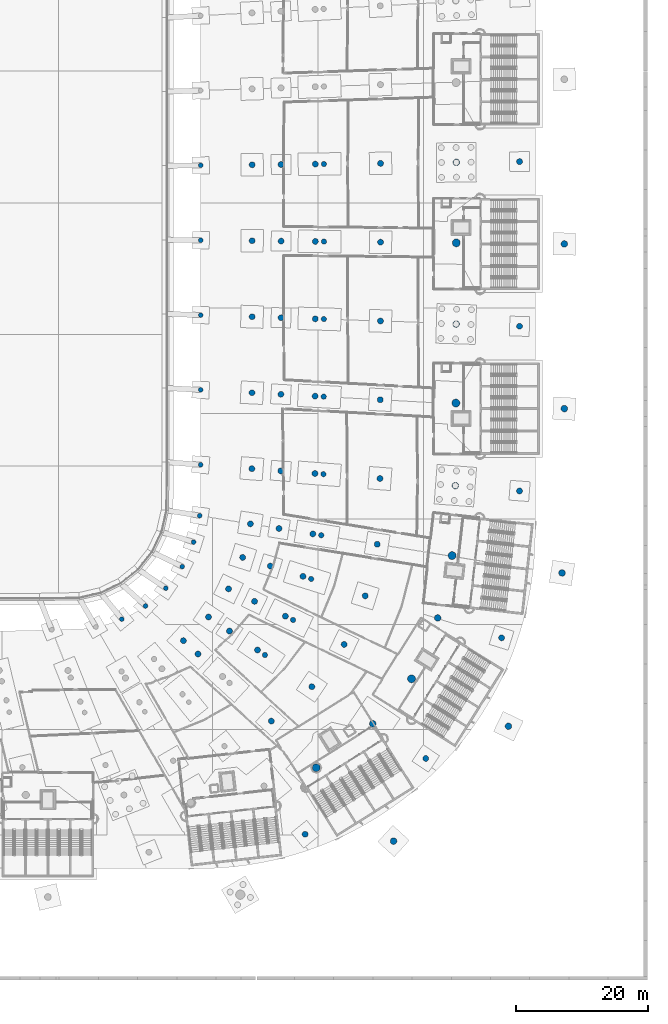
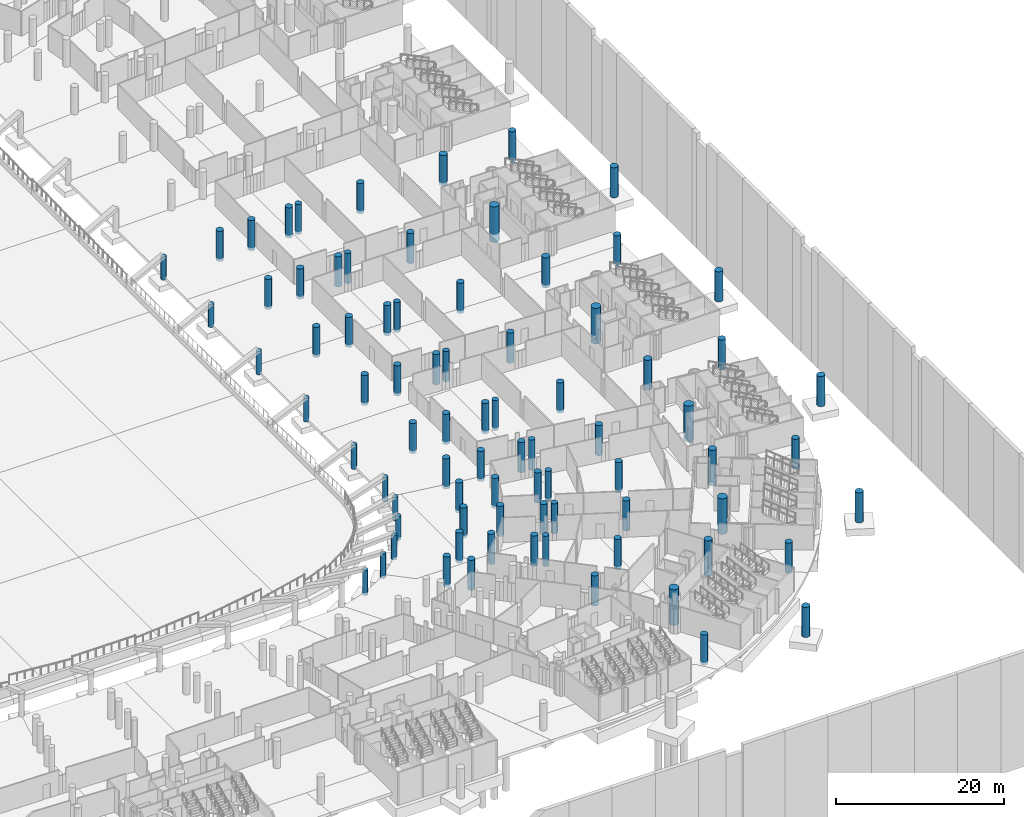
# One storey, part 10 of 142: 80 columns.
"""IFC4 building model written with IfcOpenShell, lengths in metres."""

import ifcopenshell
import ifcopenshell.guid

model = None  # the IFC model being written
_history = None  # IfcOwnerHistory: only IFC2X3 demands one
_inside = {}  # id of a spatial element -> (the spatial element, [elements in it])
_under = {}  # id of a project, library or spatial element -> (it, [spatial elements below it])
_declared = {}  # id of a project -> (the project, [libraries it declares])
_typed = {}  # id of a type object -> (the type object, [elements of that type])
_made_of = {}  # id of a material, layer set ... -> (it, [elements and type objects made of it])


def new_model(schema):
    """Start an empty IFC model of exactly this schema.

    Asked for "IFC4X3", IfcOpenShell would pick the latest addendum, in which some entities
    have other attributes; the version numbers below select the first issue.
    IFC2X3 requires an IfcOwnerHistory on every rooted entity: one is made here for all.
    """
    global model, _history
    if schema == "IFC4X3":
        model = ifcopenshell.file(schema_version=(4, 3, 0, 0))
    else:
        model = ifcopenshell.file(schema=schema)
    _inside.clear()
    _under.clear()
    _declared.clear()
    _typed.clear()
    _made_of.clear()
    _history = None
    if model.schema == "IFC2X3":
        org = make("IfcOrganization", Name="unknown")
        user = make(
            "IfcPersonAndOrganization",
            ThePerson=make("IfcPerson", FamilyName="unknown"),
            TheOrganization=org,
        )
        app = make(
            "IfcApplication",
            ApplicationDeveloper=org,
            Version="unknown",
            ApplicationFullName="unknown",
            ApplicationIdentifier="unknown",
        )
        _history = make(
            "IfcOwnerHistory",
            OwningUser=user,
            OwningApplication=app,
            ChangeAction="ADDED",
            CreationDate=0,
        )
    return model


def make(cls, **values):
    """One entity of the class cls with the attributes given. An attribute that is None is left unset."""
    return model.create_entity(
        cls, **{name: value for name, value in values.items() if value is not None}
    )


def rooted(cls, **values):
    """An entity with a GlobalId (a new one), such as an element, a storey or a relation."""
    return make(cls, GlobalId=ifcopenshell.guid.new(), OwnerHistory=_history, **values)


def si_unit(unit_type, name, prefix=None):
    """IfcSIUnit, for example si_unit("LENGTHUNIT", "METRE", prefix="MILLI")."""
    return make("IfcSIUnit", UnitType=unit_type, Prefix=prefix, Name=name)


def assignment(units):
    """IfcUnitAssignment: the units of a project."""
    return None if units is None else make("IfcUnitAssignment", Units=units)


def point(xyz):
    """IfcCartesianPoint."""
    return None if xyz is None else make("IfcCartesianPoint", Coordinates=xyz)


def direction(xyz):
    """IfcDirection."""
    return None if xyz is None else make("IfcDirection", DirectionRatios=xyz)


def frame(location, z_axis=None, x_axis=None):
    """IfcAxis2Placement3D, a coordinate frame: its origin and axes. An axis left out is left unset."""
    return make(
        "IfcAxis2Placement3D",
        Location=point(location),
        Axis=direction(z_axis),
        RefDirection=direction(x_axis),
    )


def frame_2d(location, x_axis=None):
    """IfcAxis2Placement2D, a coordinate frame in the plane: its origin and x axis."""
    return make(
        "IfcAxis2Placement2D", Location=point(location), RefDirection=direction(x_axis)
    )


def origin():
    """The frame at (0, 0, 0) with its axes left unset."""
    return frame((0.0, 0.0, 0.0))


def origin_2d():
    """The frame at (0, 0) in the plane with its x axis left unset."""
    return frame_2d((0.0, 0.0))


def place(relative_to, where):
    """IfcLocalPlacement: puts the frame where relative to a parent placement (None: the world)."""
    return make(
        "IfcLocalPlacement", PlacementRelTo=relative_to, RelativePlacement=where
    )


def context(
    kind, dimensions, precision=None, world=None, true_north=None, identifier=None
):
    """IfcGeometricRepresentationContext, for example the 3D "Model" context."""
    return make(
        "IfcGeometricRepresentationContext",
        ContextIdentifier=identifier,
        ContextType=kind,
        CoordinateSpaceDimension=dimensions,
        Precision=precision,
        WorldCoordinateSystem=world,
        TrueNorth=true_north,
    )


def subcontext(parent, identifier, kind, view, scale=None):
    """IfcGeometricRepresentationSubContext, for example "Body" below "Model"."""
    return make(
        "IfcGeometricRepresentationSubContext",
        ContextIdentifier=identifier,
        ContextType=kind,
        ParentContext=parent,
        TargetScale=scale,
        TargetView=view,
    )


def project(units=None, contexts=None):
    """IfcProject with its units and contexts."""
    return rooted(
        "IfcProject",
        Name="project",
        RepresentationContexts=contexts,
        UnitsInContext=assignment(units),
    )


def spatial(cls, under=None, at=None, **own):
    """A site, building, storey or space (cls), placed at a placement, below another one or the project."""
    s = rooted(cls, ObjectPlacement=at, **own)
    if under is not None:
        _under.setdefault(under.id(), (under, []))[1].append(s)
    return s


def profile(cls, at=None, kind="AREA", **sizes):
    """A parametric profile (cls). Its sizes go by their IFC names, for example OverallWidth=200.0."""
    return make(cls, ProfileType=kind, Position=at, **sizes)


def circle(**sizes):
    """IfcCircleProfileDef."""
    return profile("IfcCircleProfileDef", **sizes)


def extrude(swept, where, along, depth):
    """IfcExtrudedAreaSolid: the profile swept, set in the frame where, extruded along a direction by depth."""
    return make(
        "IfcExtrudedAreaSolid",
        SweptArea=swept,
        Position=where,
        ExtrudedDirection=direction(along),
        Depth=depth,
    )


def shape(context_of_items, identifier, shape_type, items):
    """IfcShapeRepresentation: the items that make up one representation, for example the "Body"."""
    return make(
        "IfcShapeRepresentation",
        ContextOfItems=context_of_items,
        RepresentationIdentifier=identifier,
        RepresentationType=shape_type,
        Items=items,
    )


def material(Name=None, Category=None):
    """IfcMaterial."""
    return make("IfcMaterial", Name=Name, Category=Category)


def material_profile(
    of_material, cross_section, Name=None, Category=None, Priority=None
):
    """IfcMaterialProfile: a cross section and its material."""
    return make(
        "IfcMaterialProfile",
        Name=Name,
        Material=of_material,
        Profile=cross_section,
        Priority=Priority,
        Category=Category,
    )


def profile_set(profiles, Name=None, composite=None):
    """IfcMaterialProfileSet."""
    return make(
        "IfcMaterialProfileSet",
        Name=Name,
        MaterialProfiles=profiles,
        CompositeProfile=composite,
    )


def made_of(thing, what):
    """Note that an element or type object is made of a material, layer set ...; save() writes the relation."""
    if what is not None:
        _made_of.setdefault(what.id(), (what, []))[1].append(thing)
    return thing


def type_object(cls, material=None, **own):
    """A type object (cls), such as IfcWallType, which elements share."""
    return made_of(rooted(cls, **own), material)


def element(
    cls,
    number,
    at=None,
    inside=None,
    cuts=None,
    type_object=None,
    material=None,
    context=None,
    identifier="Body",
    shape_type=None,
    held_by="IfcProductDefinitionShape",
    body=None,
    shapes=None,
    **own,
):
    """One element of the class cls, such as IfcWall. Its Tag is "e" and its number.

    at: its placement. inside: the storey or other place that contains it. cuts: it is an
    opening in that element (IfcRelVoidsElement). A single representation is given by context,
    identifier, shape_type and body (its items); several are given by shapes. held_by: the class
    of the entity that holds the representations. save() writes the other relations.
    """
    e = rooted(cls, Tag="e%d" % number, ObjectPlacement=at, **own)
    if body is not None:
        shapes = [shape(context, identifier, shape_type, body)]
    if shapes is not None:
        e.Representation = make(held_by, Representations=shapes)
    if inside is not None:
        _inside.setdefault(inside.id(), (inside, []))[1].append(e)
    if cuts is not None:
        rooted(
            "IfcRelVoidsElement", RelatingBuildingElement=cuts, RelatedOpeningElement=e
        )
    if type_object is not None:
        _typed.setdefault(type_object.id(), (type_object, []))[1].append(e)
    return made_of(e, material)


def aggregate(whole, parts):
    """IfcRelAggregates: a whole, such as a stair, and the parts it consists of."""
    return rooted("IfcRelAggregates", RelatingObject=whole, RelatedObjects=parts)


def save(model, path):
    """Write the relations noted so far, then the file.

    IfcRelAggregates (storeys below a building ...), IfcRelContainedInSpatialStructure (elements
    in a storey), IfcRelDefinesByType, IfcRelAssociatesMaterial and IfcRelDeclares: one each for
    every whole, place, type object, material and project.
    """
    for whole, parts in _under.values():
        aggregate(whole, parts)
    for where, things in _inside.values():
        rooted(
            "IfcRelContainedInSpatialStructure",
            RelatedElements=things,
            RelatingStructure=where,
        )
    for kind, things in _typed.values():
        rooted("IfcRelDefinesByType", RelatedObjects=things, RelatingType=kind)
    for what, things in _made_of.values():
        rooted("IfcRelAssociatesMaterial", RelatedObjects=things, RelatingMaterial=what)
    for by, libraries in _declared.values():
        rooted("IfcRelDeclares", RelatingContext=by, RelatedDefinitions=libraries)
    model.write(path)


model = new_model("IFC4")

# Units and contexts
model_context = context("Model", 3, precision=1e-05, world=origin(), true_north=direction((0.0, 1.0)))
body_context = subcontext(model_context, "Body", "Model", "MODEL_VIEW")
ifc_project = project(units=[si_unit("LENGTHUNIT", "METRE"), si_unit("AREAUNIT", "SQUARE_METRE"), si_unit("VOLUMEUNIT", "CUBIC_METRE"), si_unit("PLANEANGLEUNIT", "RADIAN"), si_unit("MASSUNIT", "GRAM", prefix="KILO")], contexts=[model_context])

# Site, building, storey
site_placement = place(None, origin())
site = spatial("IfcSite", under=ifc_project, at=site_placement, CompositionType="ELEMENT")
building_placement = place(site_placement, origin())
building = spatial("IfcBuilding", under=site, at=building_placement, Name="Meseta Stadium", CompositionType="ELEMENT")
storey_placement = place(building_placement, frame((0.0, 0.0, -4.0)))
storey = spatial("IfcBuildingStorey", under=building, at=storey_placement, Name="B1", CompositionType="ELEMENT", Elevation=-4.0)

# Columns
ifc_material_1 = material(Name="Concrete C40/50", Category="concrete")
ifc_material_profile_1 = material_profile(ifc_material_1, circle(Radius=0.5, at=origin_2d()), Name="RC D1000")
ifc_profile_set_1 = profile_set([ifc_material_profile_1], Name="Concrete C40/50")
column_type_1 = type_object("IfcColumnType", Name="RC column D1000", PredefinedType="COLUMN", material=ifc_profile_set_1)
for number, where, z_axis, x_axis, name in (
    (1, (101.0517578125, -56.202880859375, -0.39990234375), (0.0, 0.0, 1.0), (1.0, 0.0, 0.0), "Column C10 B1 frame 0 line R"),
    (2, (84.85400390625, -42.948486328125, -0.39990234375), (0.0, 0.0, 1.0), (1.0, 0.0, 0.0), "Column C10 B1 frame 1 line P"),
    (3, (101.39990234375, -31.25, -0.39990234375), (0.0, 0.0, 1.0), (1.0, 0.0, 0.0), "Column C10 B1 frame 2 line R"),
    (4, (84.97314453125, -18.41064453125, -0.39990234375), (0.0, 0.0, 1.0), (1.0, 0.0, 0.0), "Column C10 B1 frame 3 line P"),
    (5, (101.39990234375, -6.25, -0.39990234375), (0.0, 0.0, 1.0), (1.0, 0.0, 0.0), "Column C10 B1 frame 4 line R"),
    (6, (84.9970703125, 6.13720703125, -0.39990234375), (0.0, 0.0, 1.0), (1.0, 0.0, 0.0), "Column C10 B1 frame 5 line P"),
    (7, (75.474609375, -96.908447265625, -0.39990234375), (0.0, 0.0, 1.0), (1.0, 0.0, 0.0), "Column C10 B1 frame 52 line R"),
):
    element("IfcColumn", number, at=place(storey_placement, frame(where, z_axis=z_axis, x_axis=x_axis)), inside=storey, type_object=column_type_1, Name=name, PredefinedType="COLUMN", context=body_context, shape_type="SweptSolid", body=[
        extrude(circle(Radius=0.5, at=origin_2d()), origin(), (0.0, 0.0, 1.0), 4.39990234375),
    ])
column_1_placement = place(storey_placement, frame((72.31201171875, -79.091064453125, -1.199951171875), z_axis=(0.0, 0.0, 1.0), x_axis=(1.0, 0.0, 0.0)))
element("IfcColumn", 8, at=column_1_placement, inside=storey, type_object=column_type_1, Name="Column C10 B1 frame 53 line P", PredefinedType="COLUMN", context=body_context, shape_type="SweptSolid", body=[
    extrude(circle(Radius=0.5, at=origin_2d()), origin(), (0.0, 0.0, 1.0), 5.199951171875),
])
column_2_placement = place(storey_placement, frame((92.908447265625, -79.474609375, -0.39990234375), z_axis=(0.0, 0.0, 1.0), x_axis=(1.0, 0.0, 0.0)))
element("IfcColumn", 9, at=column_2_placement, inside=storey, type_object=column_type_1, Name="Column C10 B1 frame 54 line R", PredefinedType="COLUMN", context=body_context, shape_type="SweptSolid", body=[
    extrude(circle(Radius=0.5, at=origin_2d()), origin(), (0.0, 0.0, 1.0), 4.39990234375),
])
column_3_placement = place(storey_placement, frame((82.169189453125, -63.03369140625, -1.199951171875), z_axis=(0.0, 0.0, 1.0), x_axis=(1.0, 0.0, 0.0)))
element("IfcColumn", 10, at=column_3_placement, inside=storey, type_object=column_type_1, Name="Column C10 B1 frame 55 line P", PredefinedType="COLUMN", context=body_context, shape_type="SweptSolid", body=[
    extrude(circle(Radius=0.5, at=origin_2d()), origin(), (0.0, 0.0, 1.0), 5.199951171875),
])
ifc_material_2 = material(Name="Concrete C40/50", Category="concrete")
ifc_material_profile_2 = material_profile(ifc_material_2, circle(Radius=0.60009765625, at=origin_2d()), Name="RC D1200")
ifc_profile_set_2 = profile_set([ifc_material_profile_2], Name="Concrete C40/50")
column_type_2 = type_object("IfcColumnType", Name="RC column D1200", PredefinedType="COLUMN", material=ifc_profile_set_2)
for number, where, z_axis, x_axis, name in (
    (11, (84.36328125, -53.5654296875, -1.199951171875), (0.0, 0.0, 1.0), (1.0, 0.0, 0.0), "Column C12 B1 frame 0 line P"),
    (12, (84.940673828125, -30.404052734375, -1.199951171875), (0.0, 0.0, 1.0), (1.0, 0.0, 0.0), "Column C12 B1 frame 2 line P"),
    (13, (84.99755859375, -6.081298828125, -1.199951171875), (0.0, 0.0, 1.0), (1.0, 0.0, 0.0), "Column C12 B1 frame 4 line P"),
    (14, (63.731201171875, -85.77099609375, -1.199951171875), (0.0, 0.0, 1.0), (1.0, 0.0, 0.0), "Column C12 B1 frame 52 line P"),
    (15, (78.197998046875, -72.27197265625, -1.199951171875), (0.0, 0.0, 1.0), (1.0, 0.0, 0.0), "Column C12 B1 frame 54 line P"),
):
    element("IfcColumn", number, at=place(storey_placement, frame(where, z_axis=z_axis, x_axis=x_axis)), inside=storey, type_object=column_type_2, Name=name, PredefinedType="COLUMN", context=body_context, shape_type="SweptSolid", body=[
        extrude(circle(Radius=0.60009765625, at=origin_2d()), origin(), (0.0, 0.0, 1.0), 5.199951171875),
    ])
ifc_material_3 = material(Name="Concrete C40/50", Category="concrete")
ifc_material_profile_3 = material_profile(ifc_material_3, circle(Radius=0.35009765625, at=origin_2d()), Name="RC D700")
ifc_profile_set_3 = profile_set([ifc_material_profile_3], Name="Concrete C40/50")
column_type_3 = type_object("IfcColumnType", Name="RC column D700", PredefinedType="COLUMN", material=ifc_profile_set_3)
column_4_placement = place(storey_placement, frame((46.03955078125, -47.50634765625, -0.39990234375), z_axis=(0.0, 0.0, 1.0), x_axis=(1.0, 0.0, 0.0)))
element("IfcColumn", 16, at=column_4_placement, inside=storey, type_object=column_type_3, Name="Column C7 B1 frame 0 line A", PredefinedType="COLUMN", context=body_context, shape_type="SweptSolid", body=[
    extrude(circle(Radius=0.35009765625, at=origin_2d()), origin(), (0.0, 0.0, 1.0), 3.52587890625),
])
column_5_placement = place(storey_placement, frame((46.184814453125, -39.77294921875, -0.39990234375), z_axis=(0.0, 0.0, 1.0), x_axis=(1.0, 0.0, 0.0)))
element("IfcColumn", 17, at=column_5_placement, inside=storey, type_object=column_type_3, Name="Column C7 B1 frame 1 line A", PredefinedType="COLUMN", context=body_context, shape_type="SweptSolid", body=[
    extrude(circle(Radius=0.35009765625, at=origin_2d()), origin(), (0.0, 0.0, 1.0), 3.5205078125),
])
column_6_placement = place(storey_placement, frame((46.192138671875, -28.40966796875, -0.39990234375), z_axis=(0.0, 0.0, 1.0), x_axis=(1.0, 0.0, 0.0)))
element("IfcColumn", 18, at=column_6_placement, inside=storey, type_object=column_type_3, Name="Column C7 B1 frame 2 line A", PredefinedType="COLUMN", context=body_context, shape_type="SweptSolid", body=[
    extrude(circle(Radius=0.35009765625, at=origin_2d()), origin(), (0.0, 0.0, 1.0), 3.4580078125),
])
column_7_placement = place(storey_placement, frame((46.197265625, -17.0458984375, -0.39990234375), z_axis=(0.0, 0.0, 1.0), x_axis=(1.0, 0.0, 0.0)))
element("IfcColumn", 19, at=column_7_placement, inside=storey, type_object=column_type_3, Name="Column C7 B1 frame 3 line A", PredefinedType="COLUMN", context=body_context, shape_type="SweptSolid", body=[
    extrude(circle(Radius=0.35009765625, at=origin_2d()), origin(), (0.0, 0.0, 1.0), 3.39501953125),
])
for number, where, z_axis, x_axis, name in (
    (20, (46.19970703125, -5.68212890625, -0.39990234375), (0.0, 0.0, 1.0), (1.0, 0.0, 0.0), "Column C7 B1 frame 4 line A"),
    (21, (46.19970703125, 5.68212890625, -0.39990234375), (0.0, 0.0, 1.0), (1.0, 0.0, 0.0), "Column C7 B1 frame 5 line A"),
):
    element("IfcColumn", number, at=place(storey_placement, frame(where, z_axis=z_axis, x_axis=x_axis)), inside=storey, type_object=column_type_3, Name=name, PredefinedType="COLUMN", context=body_context, shape_type="SweptSolid", body=[
        extrude(circle(Radius=0.35009765625, at=origin_2d()), origin(), (0.0, 0.0, 1.0), 3.332275390625),
    ])
column_8_placement = place(storey_placement, frame((34.219970703125, -63.204833984375, -0.39990234375), z_axis=(0.0, 0.0, 1.0), x_axis=(1.0, 0.0, 0.0)))
element("IfcColumn", 22, at=column_8_placement, inside=storey, type_object=column_type_3, Name="Column C7 B1 frame 51 line A", PredefinedType="COLUMN", context=body_context, shape_type="SweptSolid", body=[
    extrude(circle(Radius=0.35009765625, at=origin_2d()), origin(), (0.0, 0.0, 1.0), 3.641845703125),
])
column_9_placement = place(storey_placement, frame((37.816162109375, -61.212158203125, -0.39990234375), z_axis=(0.0, 0.0, 1.0), x_axis=(1.0, 0.0, 0.0)))
element("IfcColumn", 23, at=column_9_placement, inside=storey, type_object=column_type_3, Name="Column C7 B1 frame 52 line A", PredefinedType="COLUMN", context=body_context, shape_type="SweptSolid", body=[
    extrude(circle(Radius=0.35009765625, at=origin_2d()), origin(), (0.0, 0.0, 1.0), 3.583740234375),
])
column_10_placement = place(storey_placement, frame((40.91650390625, -58.51611328125, -0.39990234375), z_axis=(0.0, 0.0, 1.0), x_axis=(1.0, 0.0, 0.0)))
element("IfcColumn", 24, at=column_10_placement, inside=storey, type_object=column_type_3, Name="Column C7 B1 frame 53 line A", PredefinedType="COLUMN", context=body_context, shape_type="SweptSolid", body=[
    extrude(circle(Radius=0.35009765625, at=origin_2d()), origin(), (0.0, 0.0, 1.0), 3.521240234375),
])
column_11_placement = place(storey_placement, frame((43.38720703125, -55.234130859375, -0.39990234375), z_axis=(0.0, 0.0, 1.0), x_axis=(1.0, 0.0, 0.0)))
element("IfcColumn", 25, at=column_11_placement, inside=storey, type_object=column_type_3, Name="Column C7 B1 frame 54 line A", PredefinedType="COLUMN", context=body_context, shape_type="SweptSolid", body=[
    extrude(circle(Radius=0.35009765625, at=origin_2d()), origin(), (0.0, 0.0, 1.0), 3.45556640625),
])
column_12_placement = place(storey_placement, frame((45.1201171875, -51.509765625, -0.39990234375), z_axis=(0.0, 0.0, 1.0), x_axis=(1.0, 0.0, 0.0)))
element("IfcColumn", 26, at=column_12_placement, inside=storey, type_object=column_type_3, Name="Column C7 B1 frame 55 line A", PredefinedType="COLUMN", context=body_context, shape_type="SweptSolid", body=[
    extrude(circle(Radius=0.35009765625, at=origin_2d()), origin(), (0.0, 0.0, 1.0), 3.3876953125),
])
ifc_material_4 = material(Name="Concrete C40/50", Category="concrete")
ifc_material_profile_4 = material_profile(ifc_material_4, circle(Radius=0.39990234375, at=origin_2d()), Name="RC D800")
ifc_profile_set_4 = profile_set([ifc_material_profile_4], Name="Concrete C40/50")
column_type_4 = type_object("IfcColumnType", Name="RC column D800", PredefinedType="COLUMN", material=ifc_profile_set_4)
for number, where, z_axis, x_axis, name in (
    (27, (64.501708984375, -50.479736328125, -0.39990234375), (0.0, 0.0, 1.0), (1.0, 0.0, 0.0), "Column C8 B1 frame 0 line D"),
    (28, (64.829833984375, -41.2041015625, -0.39990234375), (0.0, 0.0, 1.0), (1.0, 0.0, 0.0), "Column C8 B1 frame 1 line D"),
    (29, (64.8642578125, -29.433349609375, -0.39990234375), (0.0, 0.0, 1.0), (1.0, 0.0, 0.0), "Column C8 B1 frame 2 line D"),
    (30, (64.886962890625, -17.66064453125, -0.39990234375), (0.0, 0.0, 1.0), (1.0, 0.0, 0.0), "Column C8 B1 frame 3 line D"),
    (31, (64.898681640625, -5.886962890625, -0.39990234375), (0.0, 0.0, 1.0), (1.0, 0.0, 0.0), "Column C8 B1 frame 4 line D"),
    (32, (64.898681640625, 5.886962890625, -0.39990234375), (0.0, 0.0, 1.0), (1.0, 0.0, 0.0), "Column C8 B1 frame 5 line D"),
    (33, (55.940185546875, -68.657958984375, -0.39990234375), (0.0, 0.0, 1.0), (1.0, 0.0, 0.0), "Column C8 B1 frame 53 line D"),
    (34, (60.22216796875, -63.33056640625, -0.39990234375), (0.0, 0.0, 1.0), (1.0, 0.0, 0.0), "Column C8 B1 frame 54 line D"),
    (35, (62.963623046875, -57.1044921875, -0.39990234375), (0.0, 0.0, 1.0), (1.0, 0.0, 0.0), "Column C8 B1 frame 55 line D"),
):
    element("IfcColumn", number, at=place(storey_placement, frame(where, z_axis=z_axis, x_axis=x_axis)), inside=storey, type_object=column_type_4, Name=name, PredefinedType="COLUMN", context=body_context, shape_type="SweptSolid", body=[
        extrude(circle(Radius=0.39990234375, at=origin_2d()), origin(), (0.0, 0.0, 1.0), 4.39990234375),
    ])
ifc_material_5 = material(Name="Concrete C40/50", Category="concrete")
ifc_material_profile_5 = material_profile(ifc_material_5, circle(Radius=0.449951171875, at=origin_2d()), Name="RC D900")
ifc_profile_set_5 = profile_set([ifc_material_profile_5], Name="Concrete C40/50")
column_type_5 = type_object("IfcColumnType", Name="RC column D900", PredefinedType="COLUMN", material=ifc_profile_set_5)
for number, where, z_axis, x_axis, name in (
    (36, (53.740234375, -48.74658203125, -0.39990234375), (0.0, 0.0, 1.0), (1.0, 0.0, 0.0), "Column C9 B1 frame 0 line B"),
    (37, (58.084228515625, -49.4462890625, -0.39990234375), (0.0, 0.0, 1.0), (1.0, 0.0, 0.0), "Column C9 B1 frame 0 line U"),
    (38, (63.21826171875, -50.27294921875, -0.39990234375), (0.0, 0.0, 1.0), (1.0, 0.0, 0.0), "Column C9 B1 frame 0 line C"),
    (39, (72.9921875, -51.84716796875, -0.39990234375), (0.0, 0.0, 1.0), (1.0, 0.0, 0.0), "Column C9 B1 frame 0 line E"),
    (40, (53.9619140625, -40.369873046875, -0.39990234375), (0.0, 0.0, 1.0), (1.0, 0.0, 0.0), "Column C9 B1 frame 1 line B"),
    (41, (58.348876953125, -40.70654296875, -0.39990234375), (0.0, 0.0, 1.0), (1.0, 0.0, 0.0), "Column C9 B1 frame 1 line U"),
    (42, (63.53369140625, -41.1044921875, -0.39990234375), (0.0, 0.0, 1.0), (1.0, 0.0, 0.0), "Column C9 B1 frame 1 line C"),
    (43, (73.40478515625, -41.8623046875, -0.39990234375), (0.0, 0.0, 1.0), (1.0, 0.0, 0.0), "Column C9 B1 frame 1 line E"),
    (44, (94.60009765625, -43.75, -0.39990234375), (0.0, 0.0, 1.0), (1.0, 0.0, 0.0), "Column C9 B1 frame 1 line R"),
    (45, (53.98046875, -28.836669921875, -0.39990234375), (0.0, 0.0, 1.0), (1.0, 0.0, 0.0), "Column C9 B1 frame 2 line B"),
    (46, (58.3740234375, -29.07763671875, -0.39990234375), (0.0, 0.0, 1.0), (1.0, 0.0, 0.0), "Column C9 B1 frame 2 line U"),
    (47, (63.566162109375, -29.362060546875, -0.39990234375), (0.0, 0.0, 1.0), (1.0, 0.0, 0.0), "Column C9 B1 frame 2 line C"),
    (48, (73.451171875, -29.904052734375, -0.39990234375), (0.0, 0.0, 1.0), (1.0, 0.0, 0.0), "Column C9 B1 frame 2 line E"),
    (49, (53.992919921875, -17.302490234375, -0.39990234375), (0.0, 0.0, 1.0), (1.0, 0.0, 0.0), "Column C9 B1 frame 3 line B"),
    (50, (58.390625, -17.447021484375, -0.39990234375), (0.0, 0.0, 1.0), (1.0, 0.0, 0.0), "Column C9 B1 frame 3 line U"),
    (51, (63.587890625, -17.617919921875, -0.39990234375), (0.0, 0.0, 1.0), (1.0, 0.0, 0.0), "Column C9 B1 frame 3 line C"),
    (52, (73.482421875, -17.943603515625, -0.39990234375), (0.0, 0.0, 1.0), (1.0, 0.0, 0.0), "Column C9 B1 frame 3 line E"),
    (53, (94.60009765625, -18.75, -0.39990234375), (0.0, 0.0, 1.0), (1.0, 0.0, 0.0), "Column C9 B1 frame 3 line R"),
    (54, (53.999267578125, -5.767578125, -0.39990234375), (0.0, 0.0, 1.0), (1.0, 0.0, 0.0), "Column C9 B1 frame 4 line B"),
    (55, (58.39892578125, -5.815673828125, -0.39990234375), (0.0, 0.0, 1.0), (1.0, 0.0, 0.0), "Column C9 B1 frame 4 line U"),
    (56, (63.5986328125, -5.872802734375, -0.39990234375), (0.0, 0.0, 1.0), (1.0, 0.0, 0.0), "Column C9 B1 frame 4 line C"),
    (57, (73.498046875, -5.9814453125, -0.39990234375), (0.0, 0.0, 1.0), (1.0, 0.0, 0.0), "Column C9 B1 frame 4 line E"),
    (58, (53.999267578125, 5.767578125, -0.39990234375), (0.0, 0.0, 1.0), (1.0, 0.0, 0.0), "Column C9 B1 frame 5 line B"),
    (59, (58.39892578125, 5.815673828125, -0.39990234375), (0.0, 0.0, 1.0), (1.0, 0.0, 0.0), "Column C9 B1 frame 5 line U"),
    (60, (63.5986328125, 5.872802734375, -0.39990234375), (0.0, 0.0, 1.0), (1.0, 0.0, 0.0), "Column C9 B1 frame 5 line C"),
    (61, (73.498046875, 5.9814453125, -0.39990234375), (0.0, 0.0, 1.0), (1.0, 0.0, 0.0), "Column C9 B1 frame 5 line E"),
    (62, (94.60009765625, 6.25, -0.39990234375), (0.0, 0.0, 1.0), (1.0, 0.0, 0.0), "Column C9 B1 frame 5 line R"),
    (63, (62.051513671875, -95.872802734375, -0.39990234375), (0.0, 0.0, 1.0), (1.0, 0.0, 0.0), "Column C9 B1 frame 51 line R"),
    (64, (43.5693359375, -66.478759765625, -0.39990234375), (0.0, 0.0, 1.0), (1.0, 0.0, 0.0), "Column C9 B1 frame 52 line B"),
    (65, (45.777099609375, -68.499755859375, -0.39990234375), (0.0, 0.0, 1.0), (1.0, 0.0, 0.0), "Column C9 B1 frame 52 line U"),
    (66, (56.9150390625, -78.69580078125, -0.39990234375), (0.0, 0.0, 1.0), (1.0, 0.0, 0.0), "Column C9 B1 frame 52 line E"),
    (67, (47.38134765625, -62.880126953125, -0.39990234375), (0.0, 0.0, 1.0), (1.0, 0.0, 0.0), "Column C9 B1 frame 53 line B"),
    (68, (50.552978515625, -65.021240234375, -0.39990234375), (0.0, 0.0, 1.0), (1.0, 0.0, 0.0), "Column C9 B1 frame 53 line U"),
    (69, (54.819580078125, -67.901611328125, -0.39990234375), (0.0, 0.0, 1.0), (1.0, 0.0, 0.0), "Column C9 B1 frame 53 line C"),
    (70, (63.068115234375, -73.469970703125, -0.39990234375), (0.0, 0.0, 1.0), (1.0, 0.0, 0.0), "Column C9 B1 frame 53 line E"),
    (71, (80.365478515625, -84.365478515625, -0.39990234375), (0.0, 0.0, 1.0), (1.0, 0.0, 0.0), "Column C9 B1 frame 53 line R"),
    (72, (50.41650390625, -58.61474609375, -0.39990234375), (0.0, 0.0, 1.0), (1.0, 0.0, 0.0), "Column C9 B1 frame 54 line B"),
    (73, (54.3642578125, -60.513427734375, -0.39990234375), (0.0, 0.0, 1.0), (1.0, 0.0, 0.0), "Column C9 B1 frame 54 line U"),
    (74, (59.049072265625, -62.766357421875, -0.39990234375), (0.0, 0.0, 1.0), (1.0, 0.0, 0.0), "Column C9 B1 frame 54 line C"),
    (75, (67.972412109375, -67.057861328125, -0.39990234375), (0.0, 0.0, 1.0), (1.0, 0.0, 0.0), "Column C9 B1 frame 54 line E"),
    (76, (52.562744140625, -53.843505859375, -0.39990234375), (0.0, 0.0, 1.0), (1.0, 0.0, 0.0), "Column C9 B1 frame 55 line B"),
    (77, (56.76123046875, -55.15966796875, -0.39990234375), (0.0, 0.0, 1.0), (1.0, 0.0, 0.0), "Column C9 B1 frame 55 line U"),
    (78, (61.72314453125, -56.715576171875, -0.39990234375), (0.0, 0.0, 1.0), (1.0, 0.0, 0.0), "Column C9 B1 frame 55 line C"),
    (79, (71.169677734375, -59.67724609375, -0.39990234375), (0.0, 0.0, 1.0), (1.0, 0.0, 0.0), "Column C9 B1 frame 55 line E"),
    (80, (91.872802734375, -66.051513671875, -0.39990234375), (0.0, 0.0, 1.0), (1.0, 0.0, 0.0), "Column C9 B1 frame 55 line R"),
):
    element("IfcColumn", number, at=place(storey_placement, frame(where, z_axis=z_axis, x_axis=x_axis)), inside=storey, type_object=column_type_5, Name=name, PredefinedType="COLUMN", context=body_context, shape_type="SweptSolid", body=[
        extrude(circle(Radius=0.449951171875, at=origin_2d()), origin(), (0.0, 0.0, 1.0), 4.39990234375),
    ])

save(model, "model.ifc")
